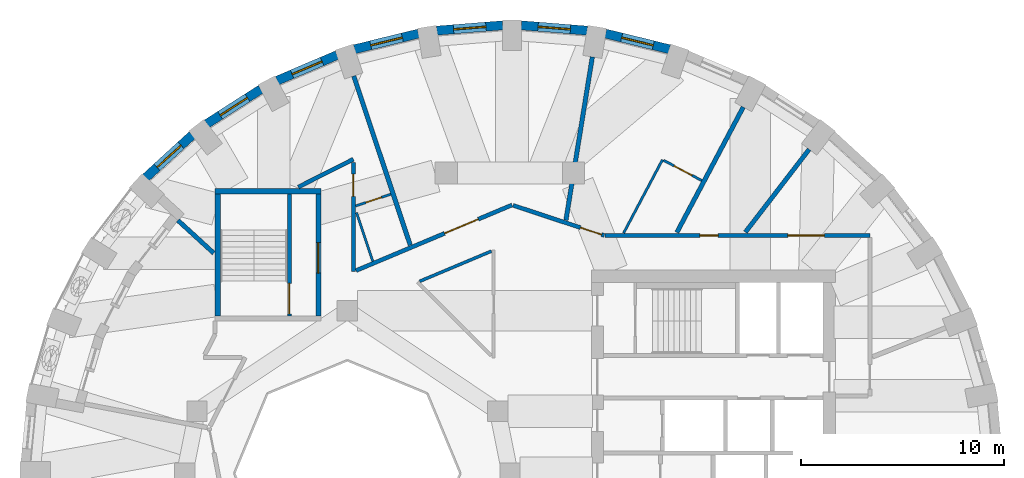
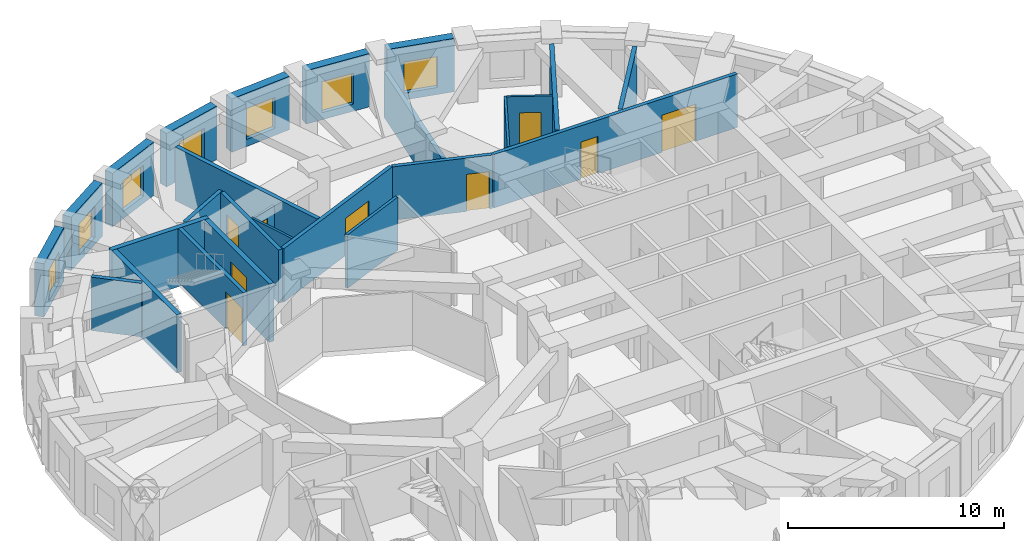
# One storey, part 7 of 11: 26 walls, 9 doors, 7 windows, 16 openings.
"""IFC4 building model written with IfcOpenShell, lengths in metres."""

from ifc_helpers import new_model, si_unit, direction, frame, frame_2d, origin, place, context, subcontext, project, spatial, rectangle, extrude, material, layer, layer_set, type_object, element, fill, save


model = new_model("IFC4")

# Units and contexts
model_context = context("Model", 3, precision=1e-05, world=origin(), true_north=direction((0.0, 1.0)))
body_context = subcontext(model_context, "Body", "Model", "MODEL_VIEW")
ifc_project = project(units=[si_unit("LENGTHUNIT", "METRE"), si_unit("AREAUNIT", "SQUARE_METRE"), si_unit("VOLUMEUNIT", "CUBIC_METRE"), si_unit("PLANEANGLEUNIT", "RADIAN"), si_unit("MASSUNIT", "GRAM", prefix="KILO")], contexts=[model_context])

# Site, building, storey
site_placement = place(None, origin())
site = spatial("IfcSite", under=ifc_project, at=site_placement, CompositionType="ELEMENT")
building_placement = place(site_placement, origin())
building = spatial("IfcBuilding", under=site, at=building_placement, Name="Taillehof Tower", CompositionType="ELEMENT")
storey_placement = place(building_placement, frame((0.0, 0.0, 158.300048828125)))
storey = spatial("IfcBuildingStorey", under=building, at=storey_placement, Name="L44", CompositionType="ELEMENT", Elevation=158.300048828125)

# Wall, opening, window
ifc_material_1 = material(Name="Brick masonry", Category="masonry")
ifc_layer_1 = layer(ifc_material_1, 0.449951171875)
ifc_layer_set_1 = layer_set([ifc_layer_1], Name="Brick infill wall 450")
wall_type_1 = type_object("IfcWallType", Name="Brick infill wall 450", PredefinedType="SOLIDWALL", material=ifc_layer_set_1)
wall_1_placement = place(storey_placement, frame((7.843017578125, 20.8623046875, 0.0), z_axis=(0.0, 0.0, 1.0), x_axis=(-0.971237178372, 0.238114139328, 0.0)))
wall_1 = element("IfcWall", 1, at=wall_1_placement, inside=storey, type_object=wall_type_1, Name="Brick wall L44 bay 8", PredefinedType="SOLIDWALL", context=body_context, shape_type="SweptSolid", body=[
    extrude(rectangle(XDim=3.23681640625, YDim=0.449951171875, at=frame_2d((1.618408203125, 0.0))), origin(), (0.0, 0.0, 1.0), 3.02001953125),
])
opening_1_placement = place(wall_1_placement, frame((0.818359375, 0.0, 0.39990234375)))
opening_1 = element("IfcOpeningElement", 2, at=opening_1_placement, cuts=wall_1, Name="Opening W3", PredefinedType="OPENING", context=body_context, shape_type="SweptSolid", body=[
    extrude(rectangle(XDim=1.60009765625, YDim=1.75, at=frame_2d((0.800048828125, 0.875))), frame((0.0, 0.23486328125, 0.0), z_axis=(0.0, -1.0, 0.0), x_axis=(1.0, 0.0, 0.0)), (0.0, 0.0, 1.0), 0.469970703125),
])
ifc_material_2 = material(Name="Aluminium window frame with clear double glazing", Category="aluminium")
window_type = type_object("IfcWindowType", Name="Deep-set window 1600x1750", PartitioningType="SINGLE_PANEL", PredefinedType="WINDOW", material=ifc_material_2)
window_1_placement = place(opening_1_placement, origin())
window_1 = element("IfcWindow", 3, at=window_1_placement, inside=storey, type_object=window_type, Name="W3", OverallHeight=1.75, OverallWidth=1.60009765625, PartitioningType="SINGLE_PANEL", PredefinedType="WINDOW", context=body_context, shape_type="SweptSolid", body=[
    extrude(rectangle(XDim=1.60009765625, YDim=1.75, at=frame_2d((0.800048828125, 0.875))), frame((0.0, 0.034912109375, 0.0), z_axis=(0.0, -1.0, 0.0), x_axis=(1.0, 0.0, 0.0)), (0.0, 0.0, 1.0), 0.06005859375),
])
fill(opening_1, window_1)

wall_2_placement = place(storey_placement, frame((3.80078125, 21.778076171875, 0.0), z_axis=(0.0, 0.0, 1.0), x_axis=(-0.996812416891, 0.079780984773, 0.0)))
wall_2 = element("IfcWall", 4, at=wall_2_placement, inside=storey, type_object=wall_type_1, Name="Brick wall L44 bay 9", PredefinedType="SOLIDWALL", context=body_context, shape_type="SweptSolid", body=[
    extrude(rectangle(XDim=3.256103515625, YDim=0.449951171875, at=frame_2d((1.6279296875, 0.0))), origin(), (0.0, 0.0, 1.0), 3.02001953125),
])
opening_2_placement = place(wall_2_placement, frame((0.827880859375, 0.0, 0.39990234375)))
opening_2 = element("IfcOpeningElement", 5, at=opening_2_placement, cuts=wall_2, Name="Opening W3", PredefinedType="OPENING", context=body_context, shape_type="SweptSolid", body=[
    extrude(rectangle(XDim=1.60009765625, YDim=1.75, at=frame_2d((0.800048828125, 0.875))), frame((0.0, 0.23486328125, 0.0), z_axis=(0.0, -1.0, 0.0), x_axis=(1.0, 0.0, 0.0)), (0.0, 0.0, 1.0), 0.469970703125),
])
window_2_placement = place(opening_2_placement, origin())
window_2 = element("IfcWindow", 6, at=window_2_placement, inside=storey, type_object=window_type, Name="W3", OverallHeight=1.75, OverallWidth=1.60009765625, PartitioningType="SINGLE_PANEL", PredefinedType="WINDOW", context=body_context, shape_type="SweptSolid", body=[
    extrude(rectangle(XDim=1.60009765625, YDim=1.75, at=frame_2d((0.800048828125, 0.875))), frame((0.0, 0.034912109375, 0.0), z_axis=(0.0, -1.0, 0.0), x_axis=(1.0, 0.0, 0.0)), (0.0, 0.0, 1.0), 0.06005859375),
])
fill(opening_2, window_2)

wall_3_placement = place(storey_placement, frame((-0.35498046875, 22.037841796875, 0.0), z_axis=(0.0, 0.0, 1.0), x_axis=(-0.996812416891, -0.079780984773, 0.0)))
wall_3 = element("IfcWall", 7, at=wall_3_placement, inside=storey, type_object=wall_type_1, Name="Brick wall L44 bay 10", PredefinedType="SOLIDWALL", context=body_context, shape_type="SweptSolid", body=[
    extrude(rectangle(XDim=3.256103515625, YDim=0.449951171875, at=frame_2d((1.6279296875, 0.0))), origin(), (0.0, 0.0, 1.0), 3.02001953125),
])
opening_3_placement = place(wall_3_placement, frame((0.827880859375, 0.0, 0.39990234375)))
opening_3 = element("IfcOpeningElement", 8, at=opening_3_placement, cuts=wall_3, Name="Opening W3", PredefinedType="OPENING", context=body_context, shape_type="SweptSolid", body=[
    extrude(rectangle(XDim=1.60009765625, YDim=1.75, at=frame_2d((0.800048828125, 0.875))), frame((0.0, 0.23486328125, 0.0), z_axis=(0.0, -1.0, 0.0), x_axis=(1.0, 0.0, 0.0)), (0.0, 0.0, 1.0), 0.469970703125),
])
window_3_placement = place(opening_3_placement, origin())
window_3 = element("IfcWindow", 9, at=window_3_placement, inside=storey, type_object=window_type, Name="W3", OverallHeight=1.75, OverallWidth=1.60009765625, PartitioningType="SINGLE_PANEL", PredefinedType="WINDOW", context=body_context, shape_type="SweptSolid", body=[
    extrude(rectangle(XDim=1.60009765625, YDim=1.75, at=frame_2d((0.800048828125, 0.875))), frame((0.0, 0.034912109375, 0.0), z_axis=(0.0, -1.0, 0.0), x_axis=(1.0, 0.0, 0.0)), (0.0, 0.0, 1.0), 0.06005859375),
])
fill(opening_3, window_3)

wall_4_placement = place(storey_placement, frame((-4.499267578125, 21.633056640625, 0.0), z_axis=(0.0, 0.0, 1.0), x_axis=(-0.971232901476, -0.238131583563, 0.0)))
wall_4 = element("IfcWall", 10, at=wall_4_placement, inside=storey, type_object=wall_type_1, Name="Brick wall L44 bay 11", PredefinedType="SOLIDWALL", context=body_context, shape_type="SweptSolid", body=[
    extrude(rectangle(XDim=3.236572265625, YDim=0.449951171875, at=frame_2d((1.6181640625, 0.0))), origin(), (0.0, 0.0, 1.0), 3.02001953125),
])
opening_4_placement = place(wall_4_placement, frame((0.818359375, 0.0, 0.39990234375)))
opening_4 = element("IfcOpeningElement", 11, at=opening_4_placement, cuts=wall_4, Name="Opening W3", PredefinedType="OPENING", context=body_context, shape_type="SweptSolid", body=[
    extrude(rectangle(XDim=1.60009765625, YDim=1.75, at=frame_2d((0.800048828125, 0.875))), frame((0.0, 0.23486328125, 0.0), z_axis=(0.0, -1.0, 0.0), x_axis=(1.0, 0.0, 0.0)), (0.0, 0.0, 1.0), 0.469970703125),
])
window_4_placement = place(opening_4_placement, origin())
window_4 = element("IfcWindow", 12, at=window_4_placement, inside=storey, type_object=window_type, Name="W3", OverallHeight=1.75, OverallWidth=1.60009765625, PartitioningType="SINGLE_PANEL", PredefinedType="WINDOW", context=body_context, shape_type="SweptSolid", body=[
    extrude(rectangle(XDim=1.60009765625, YDim=1.75, at=frame_2d((0.800048828125, 0.875))), frame((0.0, 0.034912109375, 0.0), z_axis=(0.0, -1.0, 0.0), x_axis=(1.0, 0.0, 0.0)), (0.0, 0.0, 1.0), 0.06005859375),
])
fill(opening_4, window_4)

wall_5_placement = place(storey_placement, frame((-8.50634765625, 20.574462890625, 0.0), z_axis=(0.0, 0.0, 1.0), x_axis=(-0.919798725687, -0.392390499663, 0.0)))
wall_5 = element("IfcWall", 13, at=wall_5_placement, inside=storey, type_object=wall_type_1, Name="Brick wall L44 bay 12", PredefinedType="SOLIDWALL", context=body_context, shape_type="SweptSolid", body=[
    extrude(rectangle(XDim=3.200439453125, YDim=0.449951171875, at=frame_2d((1.60009765625, 0.0))), origin(), (0.0, 0.0, 1.0), 3.02001953125),
])
opening_5_placement = place(wall_5_placement, frame((0.80029296875, 0.0, 0.39990234375)))
opening_5 = element("IfcOpeningElement", 14, at=opening_5_placement, cuts=wall_5, Name="Opening W3", PredefinedType="OPENING", context=body_context, shape_type="SweptSolid", body=[
    extrude(rectangle(XDim=1.60009765625, YDim=1.75, at=frame_2d((0.800048828125, 0.875))), frame((0.0, 0.23486328125, 0.0), z_axis=(0.0, -1.0, 0.0), x_axis=(1.0, 0.0, 0.0)), (0.0, 0.0, 1.0), 0.469970703125),
])
window_5_placement = place(opening_5_placement, origin())
window_5 = element("IfcWindow", 15, at=window_5_placement, inside=storey, type_object=window_type, Name="W3", OverallHeight=1.75, OverallWidth=1.60009765625, PartitioningType="SINGLE_PANEL", PredefinedType="WINDOW", context=body_context, shape_type="SweptSolid", body=[
    extrude(rectangle(XDim=1.60009765625, YDim=1.75, at=frame_2d((0.800048828125, 0.875))), frame((0.0, 0.034912109375, 0.0), z_axis=(0.0, -1.0, 0.0), x_axis=(1.0, 0.0, 0.0)), (0.0, 0.0, 1.0), 0.06005859375),
])
fill(opening_5, window_5)

wall_6_placement = place(storey_placement, frame((-12.2548828125, 18.893310546875, 0.0), z_axis=(0.0, 0.0, 1.0), x_axis=(-0.842030726237, -0.539429565442, 0.0)))
wall_6 = element("IfcWall", 16, at=wall_6_placement, inside=storey, type_object=wall_type_1, Name="Brick wall L44 bay 13", PredefinedType="SOLIDWALL", context=body_context, shape_type="SweptSolid", body=[
    extrude(rectangle(XDim=3.1513671875, YDim=0.449951171875, at=frame_2d((1.57568359375, 0.0))), origin(), (0.0, 0.0, 1.0), 3.02001953125),
])
opening_6_placement = place(wall_6_placement, frame((0.775634765625, 0.0, 0.39990234375)))
opening_6 = element("IfcOpeningElement", 17, at=opening_6_placement, cuts=wall_6, Name="Opening W3", PredefinedType="OPENING", context=body_context, shape_type="SweptSolid", body=[
    extrude(rectangle(XDim=1.60009765625, YDim=1.75, at=frame_2d((0.800048828125, 0.875))), frame((0.0, 0.23486328125, 0.0), z_axis=(0.0, -1.0, 0.0), x_axis=(1.0, 0.0, 0.0)), (0.0, 0.0, 1.0), 0.469970703125),
])
window_6_placement = place(opening_6_placement, origin())
window_6 = element("IfcWindow", 18, at=window_6_placement, inside=storey, type_object=window_type, Name="W3", OverallHeight=1.75, OverallWidth=1.60009765625, PartitioningType="SINGLE_PANEL", PredefinedType="WINDOW", context=body_context, shape_type="SweptSolid", body=[
    extrude(rectangle(XDim=1.60009765625, YDim=1.75, at=frame_2d((0.800048828125, 0.875))), frame((0.0, 0.034912109375, 0.0), z_axis=(0.0, -1.0, 0.0), x_axis=(1.0, 0.0, 0.0)), (0.0, 0.0, 1.0), 0.06005859375),
])
fill(opening_6, window_6)

wall_7_placement = place(storey_placement, frame((-15.630126953125, 16.638671875, 0.0), z_axis=(0.0, 0.0, 1.0), x_axis=(-0.737808755941, -0.675009807082, 0.0)))
wall_7 = element("IfcWall", 19, at=wall_7_placement, inside=storey, type_object=wall_type_1, Name="Brick wall L44 bay 14", PredefinedType="SOLIDWALL", context=body_context, shape_type="SweptSolid", body=[
    extrude(rectangle(XDim=3.094482421875, YDim=0.449951171875, at=frame_2d((1.54736328125, 0.0))), origin(), (0.0, 0.0, 1.0), 3.02001953125),
])
opening_7_placement = place(wall_7_placement, frame((0.747314453125, 0.0, 0.39990234375)))
opening_7 = element("IfcOpeningElement", 20, at=opening_7_placement, cuts=wall_7, Name="Opening W3", PredefinedType="OPENING", context=body_context, shape_type="SweptSolid", body=[
    extrude(rectangle(XDim=1.60009765625, YDim=1.75, at=frame_2d((0.800048828125, 0.875))), frame((0.0, 0.23486328125, 0.0), z_axis=(0.0, -1.0, 0.0), x_axis=(1.0, 0.0, 0.0)), (0.0, 0.0, 1.0), 0.469970703125),
])
window_7_placement = place(opening_7_placement, origin())
window_7 = element("IfcWindow", 21, at=window_7_placement, inside=storey, type_object=window_type, Name="W3", OverallHeight=1.75, OverallWidth=1.60009765625, PartitioningType="SINGLE_PANEL", PredefinedType="WINDOW", context=body_context, shape_type="SweptSolid", body=[
    extrude(rectangle(XDim=1.60009765625, YDim=1.75, at=frame_2d((0.800048828125, 0.875))), frame((0.0, 0.034912109375, 0.0), z_axis=(0.0, -1.0, 0.0), x_axis=(1.0, 0.0, 0.0)), (0.0, 0.0, 1.0), 0.06005859375),
])
fill(opening_7, window_7)

# Wall
ifc_material_3 = material(Name="Gypsum board on steel studs, two layers each side", Category="steel")
ifc_layer_2 = layer(ifc_material_3, 0.199951171875)
ifc_layer_set_2 = layer_set([ifc_layer_2], Name="Compartment wall corridor 200")
wall_type_2 = type_object("IfcWallType", Name="Compartment wall corridor 200", PredefinedType="PARTITIONING", material=ifc_layer_set_2)
wall_8_placement = place(storey_placement, frame((-10.416259765625, 14.08154296875, 0.0), z_axis=(0.0, 0.0, 1.0), x_axis=(0.892396808139, 0.451251522793, 0.0)))
element("IfcWall", 22, at=wall_8_placement, inside=storey, type_object=wall_type_2, Name="Compartment wall", PredefinedType="PARTITIONING", context=body_context, shape_type="SweptSolid", body=[
    extrude(rectangle(XDim=3.0439453125, YDim=0.199951171875, at=frame_2d((1.52197265625, 0.0))), origin(), (0.0, 0.0, 1.0), 3.02001953125),
])

# Wall, opening, door
wall_9_placement = place(storey_placement, frame((-7.699951171875, 15.294921875, 0.0), z_axis=(0.0, 0.0, 1.0), x_axis=(0.0, -1.0, 0.0)))
wall_9 = element("IfcWall", 23, at=wall_9_placement, inside=storey, type_object=wall_type_2, Name="Compartment wall", PredefinedType="PARTITIONING", context=body_context, shape_type="SweptSolid", body=[
    extrude(rectangle(XDim=5.375, YDim=0.199951171875, at=frame_2d((2.6875, 0.0))), origin(), (0.0, 0.0, 1.0), 3.02001953125),
])
opening_8_placement = place(wall_9_placement, frame((0.5703125, 0.0, 0.0)))
opening_8 = element("IfcOpeningElement", 24, at=opening_8_placement, cuts=wall_9, Name="Opening D4444", PredefinedType="OPENING", context=body_context, shape_type="SweptSolid", body=[
    extrude(rectangle(XDim=1.10009765625, YDim=2.10009765625, at=frame_2d((0.550048828125, 1.050048828125))), frame((0.0, 0.10986328125, 0.0), z_axis=(0.0, -1.0, 0.0), x_axis=(1.0, 0.0, 0.0)), (0.0, 0.0, 1.0), 0.219970703125),
])
ifc_material_4 = material(Name="Timber door leaf in steel frame", Category="steel")
door_type_1 = type_object("IfcDoorType", Name="Suite entrance door EI 30 1100 x 2100", OperationType="SINGLE_SWING_LEFT", PredefinedType="DOOR", material=ifc_material_4)
door_1_placement = place(opening_8_placement, origin())
door_1 = element("IfcDoor", 25, at=door_1_placement, inside=storey, type_object=door_type_1, Name="D4444", OperationType="SINGLE_SWING_RIGHT", OverallHeight=2.10009765625, OverallWidth=1.10009765625, PredefinedType="DOOR", context=body_context, shape_type="SweptSolid", body=[
    extrude(rectangle(XDim=1.10009765625, YDim=2.10009765625, at=frame_2d((0.550048828125, 1.050048828125))), frame((0.0, 0.02490234375, 0.0), z_axis=(0.0, -1.0, 0.0), x_axis=(1.0, 0.0, 0.0)), (0.0, 0.0, 1.0), 0.050048828125),
])
fill(opening_8, door_1)

wall_10_placement = place(storey_placement, frame((-7.570068359375, 9.974609375, 0.0), z_axis=(0.0, 0.0, 1.0), x_axis=(0.921815879705, 0.387628022624, 0.0)))
wall_10 = element("IfcWall", 26, at=wall_10_placement, inside=storey, type_object=wall_type_2, Name="Compartment wall", PredefinedType="PARTITIONING", context=body_context, shape_type="SweptSolid", body=[
    extrude(rectangle(XDim=8.32080078125, YDim=0.199951171875, at=frame_2d((4.160400390625, 0.0))), origin(), (0.0, 0.0, 1.0), 3.02001953125),
])
opening_9_placement = place(wall_10_placement, frame((4.721435546875, 0.0, 0.0)))
opening_9 = element("IfcOpeningElement", 27, at=opening_9_placement, cuts=wall_10, Name="Opening D4443", PredefinedType="OPENING", context=body_context, shape_type="SweptSolid", body=[
    extrude(rectangle(XDim=1.800048828125, YDim=2.10009765625, at=frame_2d((0.89990234375, 1.050048828125))), frame((0.0, 0.10986328125, 0.0), z_axis=(0.0, -1.0, 0.0), x_axis=(1.0, 0.0, 0.0)), (0.0, 0.0, 1.0), 0.219970703125),
])
ifc_material_5 = material(Name="Timber door leaf in steel frame", Category="steel")
door_type_2 = type_object("IfcDoorType", Name="Lounge and meeting room double door EI 30 1800 x 2100", OperationType="SINGLE_SWING_LEFT", PredefinedType="DOOR", material=ifc_material_5)
door_2_placement = place(opening_9_placement, origin())
door_2 = element("IfcDoor", 28, at=door_2_placement, inside=storey, type_object=door_type_2, Name="D4443", OperationType="DOUBLE_DOOR_SINGLE_SWING", OverallHeight=2.10009765625, OverallWidth=1.800048828125, PredefinedType="DOOR", context=body_context, shape_type="SweptSolid", body=[
    extrude(rectangle(XDim=1.800048828125, YDim=2.10009765625, at=frame_2d((0.89990234375, 1.050048828125))), frame((0.0, 0.02490234375, 0.0), z_axis=(0.0, -1.0, 0.0), x_axis=(1.0, 0.0, 0.0)), (0.0, 0.0, 1.0), 0.050048828125),
])
fill(opening_9, door_2)

wall_11_placement = place(storey_placement, frame((0.1572265625, 13.180908203125, 0.0), z_axis=(0.0, 0.0, 1.0), x_axis=(0.949543217684, -0.313636218811, 0.0)))
wall_11 = element("IfcWall", 29, at=wall_11_placement, inside=storey, type_object=wall_type_2, Name="Compartment wall", PredefinedType="PARTITIONING", context=body_context, shape_type="SweptSolid", body=[
    extrude(rectangle(XDim=4.721923828125, YDim=0.199951171875, at=frame_2d((2.36083984375, 0.0))), origin(), (0.0, 0.0, 1.0), 3.02001953125),
])
opening_10_placement = place(wall_11_placement, frame((3.48193359375, 0.0, 0.0)))
opening_10 = element("IfcOpeningElement", 30, at=opening_10_placement, cuts=wall_11, Name="Opening D4441", PredefinedType="OPENING", context=body_context, shape_type="SweptSolid", body=[
    extrude(rectangle(XDim=1.10009765625, YDim=2.10009765625, at=frame_2d((0.550048828125, 1.050048828125))), frame((0.0, 0.10986328125, 0.0), z_axis=(0.0, -1.0, 0.0), x_axis=(1.0, 0.0, 0.0)), (0.0, 0.0, 1.0), 0.219970703125),
])
ifc_material_6 = material(Name="Timber door leaf in steel frame", Category="steel")
door_type_3 = type_object("IfcDoorType", Name="Accessible guest room door EI 30 1100 x 2100", OperationType="SINGLE_SWING_LEFT", PredefinedType="DOOR", material=ifc_material_6)
door_3_placement = place(opening_10_placement, origin())
door_3 = element("IfcDoor", 31, at=door_3_placement, inside=storey, type_object=door_type_3, Name="D4441", OperationType="SINGLE_SWING_RIGHT", OverallHeight=2.10009765625, OverallWidth=1.10009765625, PredefinedType="DOOR", context=body_context, shape_type="SweptSolid", body=[
    extrude(rectangle(XDim=1.10009765625, YDim=2.10009765625, at=frame_2d((0.550048828125, 1.050048828125))), frame((0.0, 0.02490234375, 0.0), z_axis=(0.0, -1.0, 0.0), x_axis=(1.0, 0.0, 0.0)), (0.0, 0.0, 1.0), 0.050048828125),
])
fill(opening_10, door_3)

# Wall, openings, doors
wall_12_placement = place(storey_placement, frame((4.680908203125, 11.699951171875, 0.0), z_axis=(0.0, 0.0, 1.0), x_axis=(1.0, 0.0, 0.0)))
wall_12 = element("IfcWall", 32, at=wall_12_placement, inside=storey, type_object=wall_type_2, Name="Compartment wall", PredefinedType="PARTITIONING", context=body_context, shape_type="SweptSolid", body=[
    extrude(rectangle(XDim=13.01904296875, YDim=0.199951171875, at=frame_2d((6.509521484375, 0.0))), origin(), (0.0, 0.0, 1.0), 3.02001953125),
])
opening_11_placement = place(wall_12_placement, frame((4.661865234375, 0.0, 0.0)))
opening_11 = element("IfcOpeningElement", 33, at=opening_11_placement, cuts=wall_12, Name="Opening D4440", PredefinedType="OPENING", context=body_context, shape_type="SweptSolid", body=[
    extrude(rectangle(XDim=0.89990234375, YDim=2.10009765625, at=frame_2d((0.449951171875, 1.050048828125))), frame((0.0, 0.10986328125, 0.0), z_axis=(0.0, -1.0, 0.0), x_axis=(1.0, 0.0, 0.0)), (0.0, 0.0, 1.0), 0.219970703125),
])
opening_12_placement = place(wall_12_placement, frame((8.98974609375, 0.0, 0.0)))
opening_12 = element("IfcOpeningElement", 34, at=opening_12_placement, cuts=wall_12, Name="Opening D4458", PredefinedType="OPENING", context=body_context, shape_type="SweptSolid", body=[
    extrude(rectangle(XDim=1.800048828125, YDim=2.10009765625, at=frame_2d((0.89990234375, 1.050048828125))), frame((0.0, 0.10986328125, 0.0), z_axis=(0.0, -1.0, 0.0), x_axis=(1.0, 0.0, 0.0)), (0.0, 0.0, 1.0), 0.219970703125),
])
door_4_placement = place(opening_12_placement, origin())
door_4 = element("IfcDoor", 35, at=door_4_placement, inside=storey, type_object=door_type_2, Name="D4458", OperationType="DOUBLE_DOOR_SINGLE_SWING", OverallHeight=2.10009765625, OverallWidth=1.800048828125, PredefinedType="DOOR", context=body_context, shape_type="SweptSolid", body=[
    extrude(rectangle(XDim=1.800048828125, YDim=2.10009765625, at=frame_2d((0.89990234375, 1.050048828125))), frame((0.0, 0.02490234375, 0.0), z_axis=(0.0, -1.0, 0.0), x_axis=(1.0, 0.0, 0.0)), (0.0, 0.0, 1.0), 0.050048828125),
])
fill(opening_12, door_4)
ifc_material_7 = material(Name="Timber door leaf in steel frame", Category="steel")
door_type_4 = type_object("IfcDoorType", Name="Service room door EI 30 900 x 2100", OperationType="SINGLE_SWING_LEFT", PredefinedType="DOOR", material=ifc_material_7)
door_5_placement = place(opening_11_placement, origin())
door_5 = element("IfcDoor", 36, at=door_5_placement, inside=storey, type_object=door_type_4, Name="D4440", OperationType="SINGLE_SWING_LEFT", OverallHeight=2.10009765625, OverallWidth=0.89990234375, PredefinedType="DOOR", context=body_context, shape_type="SweptSolid", body=[
    extrude(rectangle(XDim=0.89990234375, YDim=2.10009765625, at=frame_2d((0.449951171875, 1.050048828125))), frame((0.0, 0.02490234375, 0.0), z_axis=(0.0, -1.0, 0.0), x_axis=(1.0, 0.0, 0.0)), (0.0, 0.0, 1.0), 0.050048828125),
])
fill(opening_11, door_5)

# Walls
ifc_material_8 = material(Name="Gypsum board on double steel studs with mineral wool", Category="steel")
ifc_layer_3 = layer(ifc_material_8, 0.219970703125)
ifc_layer_set_3 = layer_set([ifc_layer_3], Name="Compartment wall guest room 220")
wall_type_3 = type_object("IfcWallType", Name="Compartment wall guest room 220", PredefinedType="PARTITIONING", material=ifc_layer_set_3)
wall_13_placement = place(storey_placement, frame((14.7158203125, 15.937255859375, 0.0), z_axis=(0.0, 0.0, 1.0), x_axis=(-0.609997597499, -0.792403262894, 0.0)))
element("IfcWall", 37, at=wall_13_placement, inside=storey, type_object=wall_type_3, Name="Compartment wall", PredefinedType="PARTITIONING", context=body_context, shape_type="SweptSolid", body=[
    extrude(rectangle(XDim=5.140869140625, YDim=0.219970703125, at=frame_2d((2.5703125, 0.0))), origin(), (0.0, 0.0, 1.0), 3.02001953125),
])
wall_14_placement = place(storey_placement, frame((11.473876953125, 18.013427734375, 0.0), z_axis=(0.0, 0.0, 1.0), x_axis=(-0.468047008097, -0.883703569197, 0.0)))
element("IfcWall", 38, at=wall_14_placement, inside=storey, type_object=wall_type_3, Name="Compartment wall", PredefinedType="PARTITIONING", context=body_context, shape_type="SweptSolid", body=[
    extrude(rectangle(XDim=6.971435546875, YDim=0.219970703125, at=frame_2d((3.48583984375, 0.0))), origin(), (0.0, 0.0, 1.0), 3.02001953125),
])
wall_15_placement = place(storey_placement, frame((4.05224609375, 20.483642578125, 0.0), z_axis=(0.0, 0.0, 1.0), x_axis=(-0.159683255106, -0.987168302793, 0.0)))
element("IfcWall", 39, at=wall_15_placement, inside=storey, type_object=wall_type_3, Name="Compartment wall", PredefinedType="PARTITIONING", context=body_context, shape_type="SweptSolid", body=[
    extrude(rectangle(XDim=8.138427734375, YDim=0.219970703125, at=frame_2d((4.0693359375, 0.0))), origin(), (0.0, 0.0, 1.0), 2.570068359375),
])
wall_16_placement = place(storey_placement, frame((-7.682861328125, 19.544921875, 0.0), z_axis=(0.0, 0.0, 1.0), x_axis=(0.316703700313, -0.948524520615, 0.0)))
element("IfcWall", 40, at=wall_16_placement, inside=storey, type_object=wall_type_3, Name="Compartment wall", PredefinedType="PARTITIONING", context=body_context, shape_type="SweptSolid", body=[
    extrude(rectangle(XDim=8.77099609375, YDim=0.219970703125, at=frame_2d((4.385498046875, 0.0))), origin(), (0.0, 0.0, 1.0), 3.02001953125),
])
wall_17_placement = place(storey_placement, frame((-16.333984375, 12.445068359375, 0.0), z_axis=(0.0, 0.0, 1.0), x_axis=(0.737857346278, -0.674956692347, 0.0)))
element("IfcWall", 41, at=wall_17_placement, inside=storey, type_object=wall_type_3, Name="Compartment wall", PredefinedType="PARTITIONING", context=body_context, shape_type="SweptSolid", body=[
    extrude(rectangle(XDim=2.390869140625, YDim=0.219970703125, at=frame_2d((1.1953125, 0.0))), origin(), (0.0, 0.0, 1.0), 3.02001953125),
])
ifc_material_9 = material(Name="Gypsum board on steel studs, two layers each side", Category="steel")
ifc_layer_4 = layer(ifc_material_9, 0.14990234375)
ifc_layer_set_4 = layer_set([ifc_layer_4], Name="Compartment wall service room 150")
wall_type_4 = type_object("IfcWallType", Name="Compartment wall service room 150", PredefinedType="PARTITIONING", material=ifc_layer_set_4)
wall_18_placement = place(storey_placement, frame((-4.44384765625, 9.445068359375, 0.0), z_axis=(0.0, 0.0, 1.0), x_axis=(0.921822351054, 0.387612632788, 0.0)))
element("IfcWall", 42, at=wall_18_placement, inside=storey, type_object=wall_type_4, Name="Compartment wall", PredefinedType="PARTITIONING", context=body_context, shape_type="SweptSolid", body=[
    extrude(rectangle(XDim=3.83203125, YDim=0.14990234375, at=frame_2d((1.916015625, 0.0))), origin(), (0.0, 0.0, 1.0), 3.02001953125),
])
ifc_material_10 = material(Name="Gypsum board on steel studs, moisture resistant", Category="steel")
ifc_layer_5 = layer(ifc_material_10, 0.1201171875)
ifc_layer_set_5 = layer_set([ifc_layer_5], Name="En-suite wall 120")
wall_type_5 = type_object("IfcWallType", Name="En-suite wall 120", PredefinedType="PARTITIONING", material=ifc_layer_set_5)
wall_19_placement = place(storey_placement, frame((5.589599609375, 11.817626953125, 0.0), z_axis=(0.0, 0.0, 1.0), x_axis=(0.468055206857, 0.883699226736, 0.0)))
element("IfcWall", 43, at=wall_19_placement, inside=storey, type_object=wall_type_5, Name="En-suite wall", PredefinedType="PARTITIONING", context=body_context, shape_type="SweptSolid", body=[
    extrude(rectangle(XDim=4.085205078125, YDim=0.1201171875, at=frame_2d((2.04248046875, 0.0))), origin(), (0.0, 0.0, 1.0), 3.02001953125),
])
wall_20_placement = place(storey_placement, frame((-6.74755859375, 10.428955078125, 0.0), z_axis=(0.0, 0.0, 1.0), x_axis=(-0.316690754737, 0.948528842927, 0.0)))
element("IfcWall", 44, at=wall_20_placement, inside=storey, type_object=wall_type_5, Name="En-suite wall", PredefinedType="PARTITIONING", context=body_context, shape_type="SweptSolid", body=[
    extrude(rectangle(XDim=2.531005859375, YDim=0.1201171875, at=frame_2d((1.265625, 0.0))), origin(), (0.0, 0.0, 1.0), 3.02001953125),
])

# Wall, opening, door
wall_21_placement = place(storey_placement, frame((7.5546875, 15.399658203125, 0.0), z_axis=(0.0, 0.0, 1.0), x_axis=(0.883681952223, -0.468087820088, 0.0)))
wall_21 = element("IfcWall", 45, at=wall_21_placement, inside=storey, type_object=wall_type_5, Name="En-suite wall", PredefinedType="PARTITIONING", context=body_context, shape_type="SweptSolid", body=[
    extrude(rectangle(XDim=2.130126953125, YDim=0.1201171875, at=frame_2d((1.06494140625, 0.0))), origin(), (0.0, 0.0, 1.0), 3.02001953125),
])
opening_13_placement = place(wall_21_placement, frame((0.590087890625, 0.0, 0.0)))
opening_13 = element("IfcOpeningElement", 46, at=opening_13_placement, cuts=wall_21, Name="Opening D4442", PredefinedType="OPENING", context=body_context, shape_type="SweptSolid", body=[
    extrude(rectangle(XDim=1.0, YDim=2.10009765625, at=frame_2d((0.5, 1.050048828125))), frame((0.0, 0.070068359375, 0.0), z_axis=(0.0, -1.0, 0.0), x_axis=(1.0, 0.0, 0.0)), (0.0, 0.0, 1.0), 0.14013671875),
])
ifc_material_11 = material(Name="Timber door leaf in steel frame", Category="steel")
door_type_5 = type_object("IfcDoorType", Name="Accessible en-suite door 1000 x 2100", OperationType="SINGLE_SWING_LEFT", PredefinedType="DOOR", material=ifc_material_11)
door_6_placement = place(opening_13_placement, origin())
door_6 = element("IfcDoor", 47, at=door_6_placement, inside=storey, type_object=door_type_5, Name="D4442", OperationType="SINGLE_SWING_RIGHT", OverallHeight=2.10009765625, OverallWidth=1.0, PredefinedType="DOOR", context=body_context, shape_type="SweptSolid", body=[
    extrude(rectangle(XDim=1.0, YDim=2.10009765625, at=frame_2d((0.5, 1.050048828125))), frame((0.0, 0.02490234375, 0.0), z_axis=(0.0, -1.0, 0.0), x_axis=(1.0, 0.0, 0.0)), (0.0, 0.0, 1.0), 0.050048828125),
])
fill(opening_13, door_6)

wall_22_placement = place(storey_placement, frame((-7.59375, 13.15283203125, 0.0), z_axis=(0.0, 0.0, 1.0), x_axis=(0.948563158378, 0.316587957079, 0.0)))
wall_22 = element("IfcWall", 48, at=wall_22_placement, inside=storey, type_object=wall_type_5, Name="En-suite wall", PredefinedType="PARTITIONING", context=body_context, shape_type="SweptSolid", body=[
    extrude(rectangle(XDim=1.830078125, YDim=0.1201171875, at=frame_2d((0.9150390625, 0.0))), origin(), (0.0, 0.0, 1.0), 2.570068359375),
])
opening_14_placement = place(wall_22_placement, frame((0.539794921875, 0.0, 0.0)))
opening_14 = element("IfcOpeningElement", 49, at=opening_14_placement, cuts=wall_22, Name="Opening D4445", PredefinedType="OPENING", context=body_context, shape_type="SweptSolid", body=[
    extrude(rectangle(XDim=0.800048828125, YDim=2.10009765625, at=frame_2d((0.39990234375, 1.050048828125))), frame((0.0, 0.070068359375, 0.0), z_axis=(0.0, -1.0, 0.0), x_axis=(1.0, 0.0, 0.0)), (0.0, 0.0, 1.0), 0.14013671875),
])
ifc_material_12 = material(Name="Timber door leaf in steel frame", Category="steel")
door_type_6 = type_object("IfcDoorType", Name="En-suite door 800 x 2100", OperationType="SINGLE_SWING_LEFT", PredefinedType="DOOR", material=ifc_material_12)
door_7_placement = place(opening_14_placement, origin())
door_7 = element("IfcDoor", 50, at=door_7_placement, inside=storey, type_object=door_type_6, Name="D4445", OperationType="SINGLE_SWING_LEFT", OverallHeight=2.10009765625, OverallWidth=0.800048828125, PredefinedType="DOOR", context=body_context, shape_type="SweptSolid", body=[
    extrude(rectangle(XDim=0.800048828125, YDim=2.10009765625, at=frame_2d((0.39990234375, 1.050048828125))), frame((0.0, 0.02490234375, 0.0), z_axis=(0.0, -1.0, 0.0), x_axis=(1.0, 0.0, 0.0)), (0.0, 0.0, 1.0), 0.050048828125),
])
fill(opening_14, door_7)

ifc_material_13 = material(Name="Concrete C50/60", Category="concrete")
ifc_layer_6 = layer(ifc_material_13, 0.199951171875)
ifc_layer_set_6 = layer_set([ifc_layer_6], Name="Shaft wall C50/60 200")
wall_type_6 = type_object("IfcWallType", Name="Shaft wall C50/60 200", PredefinedType="SHEAR", material=ifc_layer_set_6)
wall_23_placement = place(storey_placement, frame((-10.85009765625, 7.75, 0.0), z_axis=(0.0, 0.0, 1.0), x_axis=(0.0, 1.0, 0.0)))
wall_23 = element("IfcWall", 51, at=wall_23_placement, inside=storey, type_object=wall_type_6, Name="Shaft wall SW", PredefinedType="SHEAR", context=body_context, shape_type="SweptSolid", body=[
    extrude(rectangle(XDim=6.0, YDim=0.199951171875, at=frame_2d((3.0, 0.0))), origin(), (0.0, 0.0, 1.0), 3.02001953125),
])
opening_15_placement = place(wall_23_placement, frame((0.10009765625, 0.0, 0.0)))
opening_15 = element("IfcOpeningElement", 52, at=opening_15_placement, cuts=wall_23, Name="Opening D4412", PredefinedType="OPENING", context=body_context, shape_type="SweptSolid", body=[
    extrude(rectangle(XDim=1.5, YDim=2.10009765625, at=frame_2d((0.75, 1.050048828125))), frame((0.0, 0.10986328125, 0.0), z_axis=(0.0, -1.0, 0.0), x_axis=(1.0, 0.0, 0.0)), (0.0, 0.0, 1.0), 0.219970703125),
])
ifc_material_14 = material(Name="Steel-faced fire door", Category="steel")
door_type_7 = type_object("IfcDoorType", Name="Stair door 1500x2100", OperationType="DOUBLE_DOOR_SINGLE_SWING", PredefinedType="DOOR", material=ifc_material_14)
door_8_placement = place(opening_15_placement, origin())
door_8 = element("IfcDoor", 53, at=door_8_placement, inside=storey, type_object=door_type_7, Name="Stair lobby door S3", OperationType="DOUBLE_DOOR_SINGLE_SWING", OverallHeight=2.10009765625, OverallWidth=1.5, PredefinedType="DOOR", context=body_context, shape_type="SweptSolid", body=[
    extrude(rectangle(XDim=1.5, YDim=2.10009765625, at=frame_2d((0.75, 1.050048828125))), frame((0.0, 0.02490234375, 0.0), z_axis=(0.0, -1.0, 0.0), x_axis=(1.0, 0.0, 0.0)), (0.0, 0.0, 1.0), 0.050048828125),
])
fill(opening_15, door_8)

# Wall
ifc_material_15 = material(Name="Concrete C50/60", Category="concrete")
ifc_layer_7 = layer(ifc_material_15, 0.25)
ifc_layer_set_7 = layer_set([ifc_layer_7], Name="Stair wall C50/60 250")
wall_type_7 = type_object("IfcWallType", Name="Stair wall C50/60 250", PredefinedType="SHEAR", material=ifc_layer_set_7)
wall_24_placement = place(storey_placement, frame((-14.375, 7.75, -0.280029296875), z_axis=(0.0, 0.0, 1.0), x_axis=(0.0, 1.0, 0.0)))
element("IfcWall", 54, at=wall_24_placement, inside=storey, type_object=wall_type_7, Name="Stair wall SC", PredefinedType="SHEAR", context=body_context, shape_type="SweptSolid", body=[
    extrude(rectangle(XDim=6.0, YDim=0.25, at=frame_2d((3.0, 0.0))), origin(), (0.0, 0.0, 1.0), 3.300048828125),
])

# Wall, opening, door
wall_25_placement = place(storey_placement, frame((-9.425048828125, 7.75, -0.280029296875), z_axis=(0.0, 0.0, 1.0), x_axis=(0.0, 1.0, 0.0)))
wall_25 = element("IfcWall", 55, at=wall_25_placement, inside=storey, type_object=wall_type_7, Name="Stair wall SC", PredefinedType="SHEAR", context=body_context, shape_type="SweptSolid", body=[
    extrude(rectangle(XDim=6.0, YDim=0.25, at=frame_2d((3.0, 0.0))), origin(), (0.0, 0.0, 1.0), 3.300048828125),
])
opening_16_placement = place(wall_25_placement, frame((2.10009765625, 0.0, 0.280029296875)))
opening_16 = element("IfcOpeningElement", 56, at=opening_16_placement, cuts=wall_25, Name="Opening D4415", PredefinedType="OPENING", context=body_context, shape_type="SweptSolid", body=[
    extrude(rectangle(XDim=1.5, YDim=2.10009765625, at=frame_2d((0.75, 1.050048828125))), frame((0.0, 0.135009765625, 0.0), z_axis=(0.0, -1.0, 0.0), x_axis=(1.0, 0.0, 0.0)), (0.0, 0.0, 1.0), 0.27001953125),
])
door_9_placement = place(opening_16_placement, origin())
door_9 = element("IfcDoor", 57, at=door_9_placement, inside=storey, type_object=door_type_7, Name="Stair door S3", OperationType="DOUBLE_DOOR_SINGLE_SWING", OverallHeight=2.10009765625, OverallWidth=1.5, PredefinedType="DOOR", context=body_context, shape_type="SweptSolid", body=[
    extrude(rectangle(XDim=1.5, YDim=2.10009765625, at=frame_2d((0.75, 1.050048828125))), frame((0.0, 0.02490234375, 0.0), z_axis=(0.0, -1.0, 0.0), x_axis=(1.0, 0.0, 0.0)), (0.0, 0.0, 1.0), 0.050048828125),
])
fill(opening_16, door_9)

# Wall
wall_26_placement = place(storey_placement, frame((-14.5, 13.875, -0.280029296875), z_axis=(0.0, 0.0, 1.0), x_axis=(1.0, 0.0, 0.0)))
element("IfcWall", 58, at=wall_26_placement, inside=storey, type_object=wall_type_7, Name="Stair wall SC", PredefinedType="SHEAR", context=body_context, shape_type="SweptSolid", body=[
    extrude(rectangle(XDim=5.199951171875, YDim=0.25, at=frame_2d((2.60009765625, 0.0))), origin(), (0.0, 0.0, 1.0), 3.300048828125),
])

save(model, "model.ifc")
